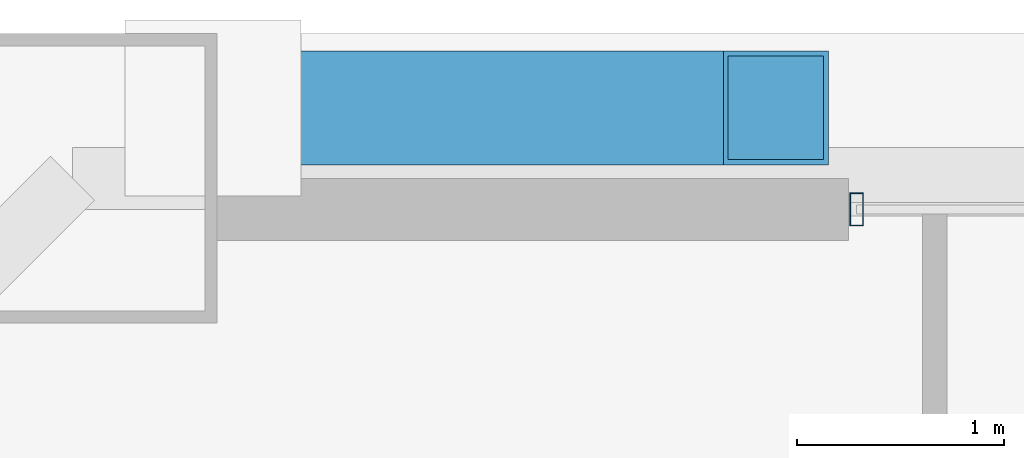
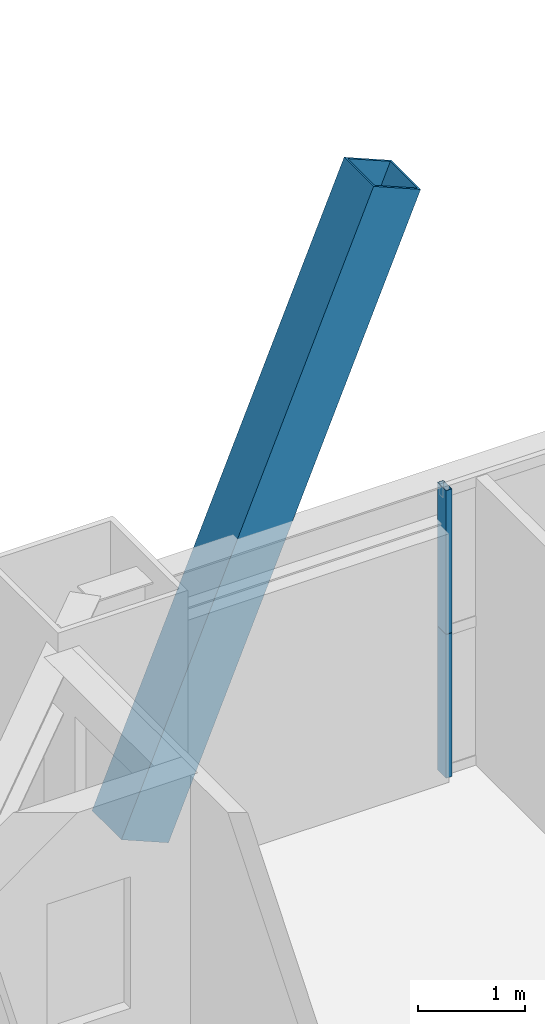
# One storey, part 31 of 45: 3 members, 1 element without a shape of its own.
"""IFC4 building model written with IfcOpenShell, lengths in metres."""

from ifc_helpers import new_model, si_unit, direction, frame, origin, origin_2d, place, context, subcontext, project, spatial, hollow_rectangle, extrude, source, transform, mapped, material, layer, layer_set, material_profile, profile_set, type_object, element, aggregate, save


model = new_model("IFC4")

# Units and contexts
model_context = context("Model", 3, precision=1e-05, world=origin(), true_north=direction((0.0, 1.0)))
body_context = subcontext(model_context, "Body", "Model", "MODEL_VIEW")
ifc_project = project(units=[si_unit("LENGTHUNIT", "METRE"), si_unit("AREAUNIT", "SQUARE_METRE"), si_unit("VOLUMEUNIT", "CUBIC_METRE"), si_unit("PLANEANGLEUNIT", "RADIAN"), si_unit("MASSUNIT", "GRAM", prefix="KILO"), si_unit("THERMODYNAMICTEMPERATUREUNIT", "KELVIN"), si_unit("POWERUNIT", "WATT")], contexts=[model_context])

# Site, building, storey
site_placement = place(None, origin())
site = spatial("IfcSite", under=ifc_project, at=site_placement, CompositionType="ELEMENT")
building_placement = place(site_placement, origin())
building = spatial("IfcBuilding", under=site, at=building_placement, Name="Yuzanri Waterfront Tower", CompositionType="ELEMENT")
storey_placement = place(building_placement, frame((0.0, 0.0, 191.5)))
storey = spatial("IfcBuildingStorey", under=building, at=storey_placement, Name="L50", CompositionType="ELEMENT", Elevation=191.5)

# Member
ifc_material_1 = material(Name="Steel Q390GJC", Category="steel")
ifc_material_profile_1 = material_profile(ifc_material_1, hollow_rectangle(XDim=0.550048828125, YDim=0.550048828125, WallThickness=0.02490234375, at=origin_2d()), Name="RHS 550x550x25")
ifc_profile_set_1 = profile_set([ifc_material_profile_1], Name="Steel Q390GJC")
member_type_1 = type_object("IfcMemberType", Name="Mega Brace Mid Q390GJC RHS 550x550x25", PredefinedType="BRACE", material=ifc_profile_set_1)
shared_shape_1 = source(origin(), body_context, "Body", "SweptSolid", [
    extrude(hollow_rectangle(XDim=0.550048828125, YDim=0.550048828125, WallThickness=0.02490234375, at=origin_2d()), origin(), (0.0, 0.0, 1.0), 7.046142578125),
])
member_1_placement = place(storey_placement, frame((19.179931640625, 48.239990234375, 0.179931640625), z_axis=(0.386022211732, 0.0, 0.922489486146), x_axis=(0.0, 1.0, 0.0)))
element("IfcMember", 1, at=member_1_placement, inside=storey, type_object=member_type_1, Name="L50-L51 Perimeter Mega-Brace N-L", PredefinedType="BRACE", context=body_context, shape_type="MappedRepresentation", body=[
    mapped(shared_shape_1, transform((0.0, 0.0, 0.0), scale=1.0)),
])

# Curtain wall, members
ifc_material_2 = material(Name="Anodized Architectural Bronze", Category="metal")
ifc_layer = layer(ifc_material_2, 0.159912109375)
ifc_layer_set = layer_set([ifc_layer], Name="Anodized Architectural Bronze")
curtain_wall_type = type_object("IfcCurtainWallType", Name="Anodized Bronze Mid-Rise Residential Acoustic Unitized Curtain Wall 7200", PredefinedType="NOTDEFINED", material=ifc_layer_set)
curtain_wall_placement = place(storey_placement, origin())
curtain_wall = element("IfcCurtainWall", 2, at=curtain_wall_placement, inside=storey, type_object=curtain_wall_type, Name="L50 Curtain Wall CW-L50-NL", PredefinedType="NOTDEFINED")
ifc_material_3 = material(Name="Anodized Architectural Bronze", Category="metal")
ifc_material_profile_2 = material_profile(ifc_material_3, hollow_rectangle(XDim=0.06494140625, YDim=0.159912109375, WallThickness=0.00341796875, at=origin_2d()), Name="CWM 65x160")
ifc_profile_set_2 = profile_set([ifc_material_profile_2], Name="Anodized Architectural Bronze")
member_type_2 = type_object("IfcMemberType", Name="Anodized Bronze Upper-Zone Curtain-Wall Mullion 65x160", PredefinedType="MULLION", material=ifc_profile_set_2)
shared_shape_2 = source(origin(), body_context, "Body", "SweptSolid", [
    extrude(hollow_rectangle(XDim=0.06494140625, YDim=0.159912109375, WallThickness=0.00341796875, at=origin_2d()), origin(), (0.0, 0.0, 1.0), 1.637939453125),
])
member_2_placement = place(storey_placement, frame((22.2900390625, 47.75, 0.0), z_axis=(0.0, 0.0, 1.0), x_axis=(1.0, 0.0, 0.0)))
member_2 = element("IfcMember", 3, at=member_2_placement, type_object=member_type_2, Name="CW-L50-NL Lower Mullion 00", PredefinedType="MULLION", context=body_context, shape_type="MappedRepresentation", body=[
    mapped(shared_shape_2, transform((0.0, 0.0, 0.0), scale=1.0)),
])
member_3_placement = place(storey_placement, frame((22.2900390625, 47.75, 1.64208984375), z_axis=(0.0, 0.0, 1.0), x_axis=(1.0, 0.0, 0.0)))
member_3 = element("IfcMember", 4, at=member_3_placement, type_object=member_type_2, Name="CW-L50-NL Upper Mullion 00", PredefinedType="MULLION", context=body_context, shape_type="MappedRepresentation", body=[
    mapped(shared_shape_2, transform((0.0, 0.0, 0.0), scale=1.0)),
])
aggregate(curtain_wall, [member_2, member_3])

save(model, "model.ifc")
